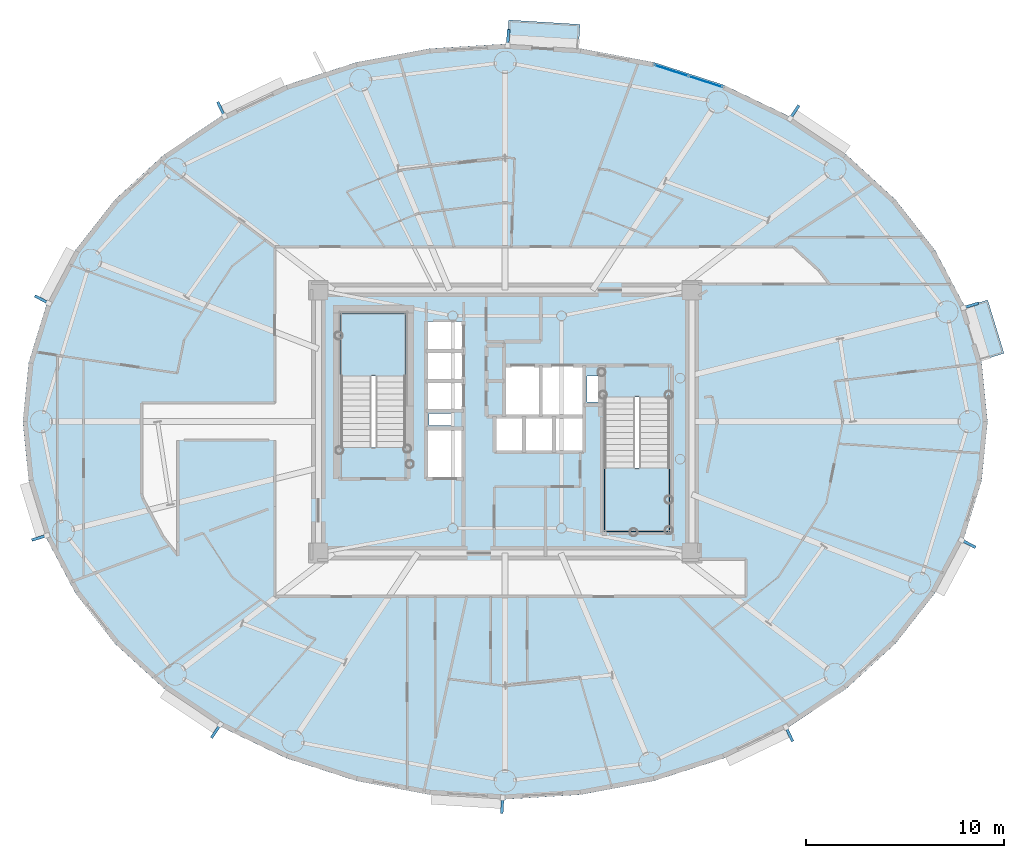
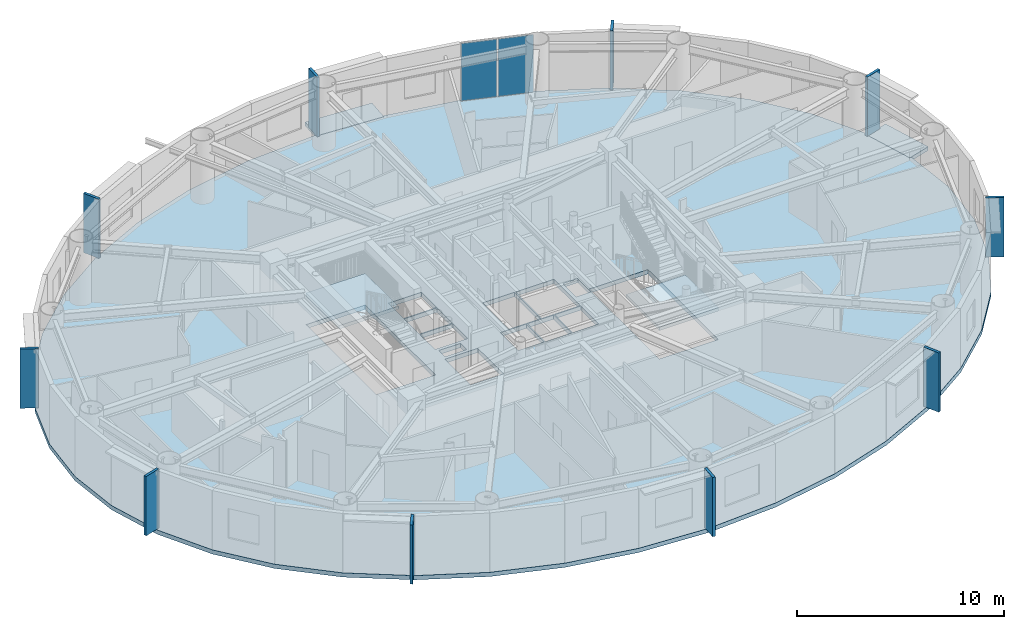
# One storey, part 6 of 22: 12 plates, 5 slabs, 3 elements without a shape of their own.
"""IFC4 building model written with IfcOpenShell, lengths in metres."""

from ifc_helpers import new_model, si_unit, direction, frame, origin, origin_2d, place, context, subcontext, project, spatial, polyline, rectangle, outline, extrude, source, transform, mapped, material, layer, layer_set, type_object, element, aggregate, save


model = new_model("IFC4")

# Units and contexts
model_context = context("Model", 3, precision=1e-05, world=origin(), true_north=direction((0.0, 1.0)))
body_context = subcontext(model_context, "Body", "Model", "MODEL_VIEW")
ifc_project = project(units=[si_unit("LENGTHUNIT", "METRE"), si_unit("AREAUNIT", "SQUARE_METRE"), si_unit("VOLUMEUNIT", "CUBIC_METRE"), si_unit("PLANEANGLEUNIT", "RADIAN"), si_unit("MASSUNIT", "GRAM", prefix="KILO")], contexts=[model_context])

# Site, building, storey
site_placement = place(None, origin())
site = spatial("IfcSite", under=ifc_project, at=site_placement, CompositionType="ELEMENT")
building_placement = place(site_placement, origin())
building = spatial("IfcBuilding", under=site, at=building_placement, Name="Linh Dai School and Residence Tower", CompositionType="ELEMENT")
storey_placement = place(building_placement, frame((0.0, 0.0, 214.050048828125)))
storey = spatial("IfcBuildingStorey", under=building, at=storey_placement, Name="L52", CompositionType="ELEMENT", Elevation=214.050048828125)

# Slabs
ifc_material_1 = material(Name="Concrete B45 (C35/45)", Category="concrete")
ifc_layer_1 = layer(ifc_material_1, 0.219970703125)
ifc_layer_set_1 = layer_set([ifc_layer_1], Name="Concrete B45 (C35/45)")
slab_type_1 = type_object("IfcSlabType", Name="SLB-BALC-220", PredefinedType="FLOOR", material=ifc_layer_set_1)
slab_1_placement = place(storey_placement, frame((0.0, 0.0, -0.219970703125)))
element("IfcSlab", 1, at=slab_1_placement, inside=storey, type_object=slab_type_1, Name="L52 Sliding Balcony Slab 02", PredefinedType="FLOOR", context=body_context, shape_type="SweptSolid", body=[
    extrude(outline(polyline([(59.16259765625, 32.7734375), (59.99072265625, 30.07275390625), (61.233642578125, 30.453857421875), (60.405517578125, 33.154541015625), (59.16259765625, 32.7734375)])), origin(), (0.0, 0.0, 1.0), 0.219970703125),
])
slab_2_placement = place(storey_placement, frame((0.0, 0.0, -0.219970703125)))
element("IfcSlab", 2, at=slab_2_placement, inside=storey, type_object=slab_type_1, Name="L52 Sliding Balcony Slab 10", PredefinedType="FLOOR", context=body_context, shape_type="SweptSolid", body=[
    extrude(outline(polyline([(36.1025390625, 46.018798828125), (39.70458984375, 45.796875), (39.784423828125, 47.09423828125), (36.1826171875, 47.31640625), (36.1025390625, 46.018798828125)])), origin(), (0.0, 0.0, 1.0), 0.219970703125),
])
ifc_layer_2 = layer(ifc_material_1, 0.25)
ifc_layer_set_2 = layer_set([ifc_layer_2], Name="Concrete B45 (C35/45)")
slab_type_2 = type_object("IfcSlabType", Name="SLB-FLR250", PredefinedType="FLOOR", material=ifc_layer_set_2)
slab_3_placement = place(storey_placement, frame((0.0, 0.0, -0.25)))
element("IfcSlab", 3, at=slab_3_placement, inside=storey, type_object=slab_type_2, Name="L52 Composite Structural Floor Slab", PredefinedType="FLOOR", context=body_context, shape_type="SweptSolid", body=[
    extrude(outline(polyline([(60.39990234375, 27.0), (60.099609375, 29.98876953125), (59.205810546875, 32.90380859375), (57.740478515625, 35.673583984375), (55.739990234375, 38.229736328125), (53.25341796875, 40.50927734375), (50.342041015625, 42.456298828125), (47.077392578125, 44.022705078125), (43.5400390625, 45.169921875), (39.81689453125, 45.869873046875), (36.0, 46.10498046875), (32.18310546875, 45.869873046875), (28.4599609375, 45.169921875), (24.922607421875, 44.022705078125), (21.657958984375, 42.456298828125), (18.74658203125, 40.50927734375), (16.260009765625, 38.229736328125), (14.259521484375, 35.673583984375), (12.794189453125, 32.90380859375), (11.900390625, 29.98876953125), (11.60009765625, 27.0), (11.900390625, 24.01123046875), (12.794189453125, 21.09619140625), (14.259521484375, 18.326416015625), (16.260009765625, 15.770263671875), (18.74658203125, 13.49072265625), (21.657958984375, 11.543701171875), (24.922607421875, 9.977294921875), (28.4599609375, 8.830078125), (32.18310546875, 8.130126953125), (36.0, 7.89501953125), (39.81689453125, 8.130126953125), (43.5400390625, 8.830078125), (47.077392578125, 9.977294921875), (50.342041015625, 11.543701171875), (53.25341796875, 13.49072265625), (55.739990234375, 15.770263671875), (57.740478515625, 18.326416015625), (59.205810546875, 21.09619140625), (60.099609375, 24.01123046875), (60.39990234375, 27.0)]), holes=[polyline([(30.97998046875, 25.699951171875), (30.97998046875, 32.5), (27.679931640625, 32.5), (27.679931640625, 25.699951171875), (30.97998046875, 25.699951171875)]), polyline([(41.02001953125, 28.25), (41.02001953125, 21.449951171875), (44.320068359375, 21.449951171875), (44.320068359375, 28.25), (41.02001953125, 28.25)]), polyline([(35.97998046875, 27.280029296875), (37.77001953125, 27.280029296875), (37.77001953125, 29.820068359375), (35.97998046875, 29.820068359375), (35.97998046875, 27.280029296875)]), polyline([(32.030029296875, 24.1298828125), (33.8701171875, 24.1298828125), (33.8701171875, 26.6201171875), (32.030029296875, 26.6201171875), (32.030029296875, 24.1298828125)]), polyline([(37.830078125, 27.280029296875), (39.969970703125, 27.280029296875), (39.969970703125, 29.820068359375), (37.830078125, 29.820068359375), (37.830078125, 27.280029296875)]), polyline([(32.030029296875, 27.580078125), (33.8701171875, 27.580078125), (33.8701171875, 29.030029296875), (32.030029296875, 29.030029296875), (32.030029296875, 27.580078125)]), polyline([(32.030029296875, 29.090087890625), (33.8701171875, 29.090087890625), (33.8701171875, 30.550048828125), (32.030029296875, 30.550048828125), (32.030029296875, 29.090087890625)]), polyline([(32.030029296875, 30.610107421875), (33.8701171875, 30.610107421875), (33.8701171875, 32.070068359375), (32.030029296875, 32.070068359375), (32.030029296875, 30.610107421875)]), polyline([(35.47998046875, 25.47998046875), (36.929931640625, 25.47998046875), (36.929931640625, 27.219970703125), (35.47998046875, 27.219970703125), (35.47998046875, 25.47998046875)]), polyline([(36.989990234375, 25.47998046875), (38.449951171875, 25.47998046875), (38.449951171875, 27.219970703125), (36.989990234375, 27.219970703125), (36.989990234375, 25.47998046875)]), polyline([(38.510009765625, 25.47998046875), (39.969970703125, 25.47998046875), (39.969970703125, 27.219970703125), (38.510009765625, 27.219970703125), (38.510009765625, 25.47998046875)]), polyline([(40.14990234375, 28.0), (40.14990234375, 29.300048828125), (41.0, 29.300048828125), (41.0, 28.280029296875), (40.989990234375, 28.280029296875), (40.989990234375, 28.0), (40.14990234375, 28.0)]), polyline([(32.14990234375, 26.800048828125), (33.35009765625, 26.800048828125), (33.35009765625, 27.39990234375), (32.14990234375, 27.39990234375), (32.14990234375, 26.800048828125)])]), origin(), (0.0, 0.0, 1.0), 0.25),
])

# Stair, slab
stair_type = type_object("IfcStairType", Name="ST-DOG-1550-R1442", PredefinedType="HALF_TURN_STAIR", material=ifc_material_1)
stair_1_placement = place(storey_placement, origin())
stair_1 = element("IfcStair", 4, at=stair_1_placement, inside=storey, type_object=stair_type, Name="L52 Core Smokeproof Exit Stair ST1", PredefinedType="HALF_TURN_STAIR")
ifc_layer_3 = layer(ifc_material_1, 0.199951171875)
ifc_layer_set_3 = layer_set([ifc_layer_3], Name="Concrete B45 (C35/45)")
slab_type_3 = type_object("IfcSlabType", Name="SLB-ST-LANDING-200", PredefinedType="LANDING", material=ifc_layer_set_3)
slab_4_placement = place(storey_placement, frame((0.0, 0.0, 1.675048828125)))
slab_4 = element("IfcSlab", 5, at=slab_4_placement, type_object=slab_type_3, Name="ST1 landing 1", PredefinedType="LANDING", context=body_context, shape_type="SweptSolid", body=[
    extrude(outline(polyline([(30.97998046875, 29.300048828125), (30.97998046875, 32.5), (27.679931640625, 32.5), (27.679931640625, 29.300048828125), (30.97998046875, 29.300048828125)])), origin(), (0.0, 0.0, 1.0), 0.199951171875),
])
aggregate(stair_1, [slab_4])

stair_2_placement = place(storey_placement, origin())
stair_2 = element("IfcStair", 6, at=stair_2_placement, inside=storey, type_object=stair_type, Name="L52 Core Smokeproof Exit Stair ST2", PredefinedType="HALF_TURN_STAIR")
slab_5_placement = place(storey_placement, frame((0.0, 0.0, 1.675048828125)))
slab_5 = element("IfcSlab", 7, at=slab_5_placement, type_object=slab_type_3, Name="ST2 landing 1", PredefinedType="LANDING", context=body_context, shape_type="SweptSolid", body=[
    extrude(outline(polyline([(41.02001953125, 24.64990234375), (41.02001953125, 21.449951171875), (44.320068359375, 21.449951171875), (44.320068359375, 24.64990234375), (41.02001953125, 24.64990234375)])), origin(), (0.0, 0.0, 1.0), 0.199951171875),
])
aggregate(stair_2, [slab_5])

# Plates
ifc_material_2 = material(Name="Precast Concrete B45 (C35/45)", Category="concrete")
ifc_layer_4 = layer(ifc_material_2, 0.139892578125)
ifc_layer_set_4 = layer_set([ifc_layer_4], Name="Precast Concrete B45 (C35/45)")
plate_type_1 = type_object("IfcPlateType", Name="FIN-TC-900x140", PredefinedType="USERDEFINED", material=ifc_layer_set_4)
shared_shape_1 = source(origin(), body_context, "Body", "SweptSolid", [
    extrude(rectangle(XDim=0.89990234375, YDim=0.139892578125, at=origin_2d()), origin(), (0.0, 0.0, 1.0), 3.5),
])
for number, where, z_axis, x_axis, name in (
    (8, (59.517578125, 32.861328125, 0.0), (0.0, 0.0, 1.0), (0.956064190994, 0.2931574026, 0.0), "L52 Precast Terracotta Radial Fin 02"),
    (9, (50.60791015625, 42.621826171875, 0.0), (0.0, 0.0, 1.0), (0.555887222025, 0.831257719597, 0.0), "L52 Precast Terracotta Radial Fin 06"),
    (10, (36.14501953125, 46.3818359375, 0.0), (0.0, 0.0, 1.0), (0.061504437922, 0.998106809974, 0.0), "L52 Precast Terracotta Radial Fin 10"),
    (11, (21.650634765625, 42.769287109375, 0.0), (0.0, 0.0, 1.0), (-0.432593941973, 0.901588864931, 0.0), "L52 Precast Terracotta Radial Fin 14"),
    (12, (12.603271484375, 33.153564453125, 0.0), (0.0, 0.0, 1.0), (-0.883928950783, 0.467621224891, 0.0), "L52 Precast Terracotta Radial Fin 18"),
    (13, (12.482421875, 21.138671875, 0.0), (0.0, 0.0, 1.0), (-0.956064190994, -0.2931574026, 0.0), "L52 Precast Terracotta Radial Fin 22"),
    (14, (21.39208984375, 11.378173828125, 0.0), (0.0, 0.0, 1.0), (-0.555887222025, -0.831257719597, 0.0), "L52 Precast Terracotta Radial Fin 26"),
    (15, (35.85498046875, 7.6181640625, 0.0), (0.0, 0.0, 1.0), (-0.061504437922, -0.998106809974, 0.0), "L52 Precast Terracotta Radial Fin 30"),
    (16, (50.349365234375, 11.230712890625, 0.0), (0.0, 0.0, 1.0), (0.432593941973, -0.901588864931, 0.0), "L52 Precast Terracotta Radial Fin 34"),
    (17, (59.396728515625, 20.846435546875, 0.0), (0.0, 0.0, 1.0), (0.883928950783, -0.467621224891, 0.0), "L52 Precast Terracotta Radial Fin 38"),
):
    element("IfcPlate", number, at=place(storey_placement, frame(where, z_axis=z_axis, x_axis=x_axis)), inside=storey, type_object=plate_type_1, Name=name, ObjectType="RADIAL FIN", PredefinedType="USERDEFINED", context=body_context, shape_type="MappedRepresentation", body=[
        mapped(shared_shape_1, transform((0.0, 0.0, 0.0), x_axis=(1.0, 0.0, 0.0), y_axis=(0.0, 1.0, 0.0), z_axis=(0.0, 0.0, 1.0), scale=1.0)),
    ])

# Curtain wall, plates
ifc_material_3 = material(Name="Aluminium Anodised Curtain Wall", Category="aluminium")
ifc_layer_5 = layer(ifc_material_3, 0.14990234375)
ifc_layer_set_5 = layer_set([ifc_layer_5], Name="Aluminium Anodised Curtain Wall")
curtain_wall_type = type_object("IfcCurtainWallType", Name="CW-SYS-4", PredefinedType="USERDEFINED", material=ifc_layer_set_5)
curtain_wall_placement = place(storey_placement, origin())
curtain_wall = element("IfcCurtainWall", 18, at=curtain_wall_placement, inside=storey, type_object=curtain_wall_type, Name="L52 CW4 Curtain Wall 08", ObjectType="RIBBON CURTAIN WALL", PredefinedType="USERDEFINED")
ifc_material_4 = material(Name="Double Low-E Insulated Glazing", Category="glass")
ifc_layer_6 = layer(ifc_material_4, 0.02587890625)
ifc_layer_set_6 = layer_set([ifc_layer_6], Name="Double Low-E Insulated Glazing")
plate_type_2 = type_object("IfcPlateType", Name="CW-SYS-4-PAN", PredefinedType="CURTAIN_PANEL", material=ifc_layer_set_6)
shared_shape_2 = source(origin(), body_context, "Body", "SweptSolid", [
    extrude(rectangle(XDim=1.773193359375, YDim=0.02587890625, at=origin_2d()), origin(), (0.0, 0.0, 1.0), 3.39599609375),
])
plate_1_placement = place(storey_placement, frame((44.402099609375, 44.75927734375, 0.052001953125), z_axis=(0.0, 0.0, 1.0), x_axis=(0.951223997135, -0.308501065272, 0.0)))
plate_1 = element("IfcPlate", 19, at=plate_1_placement, type_object=plate_type_2, Name="CW4 panel 1.1", PredefinedType="CURTAIN_PANEL", context=body_context, shape_type="MappedRepresentation", body=[
    mapped(shared_shape_2, transform((0.0, 0.0, 0.0), x_axis=(1.0, 0.0, 0.0), y_axis=(0.0, 1.0, 0.0), z_axis=(0.0, 0.0, 1.0), scale=1.0)),
])
plate_2_placement = place(storey_placement, frame((46.13818359375, 44.196044921875, 0.052001953125), z_axis=(0.0, 0.0, 1.0), x_axis=(0.951223997135, -0.308501065272, 0.0)))
plate_2 = element("IfcPlate", 20, at=plate_2_placement, type_object=plate_type_2, Name="CW4 panel 2.1", PredefinedType="CURTAIN_PANEL", context=body_context, shape_type="MappedRepresentation", body=[
    mapped(shared_shape_2, transform((0.0, 0.0, 0.0), x_axis=(1.0, 0.0, 0.0), y_axis=(0.0, 1.0, 0.0), z_axis=(0.0, 0.0, 1.0), scale=1.0)),
])
aggregate(curtain_wall, [plate_1, plate_2])

save(model, "model.ifc")
